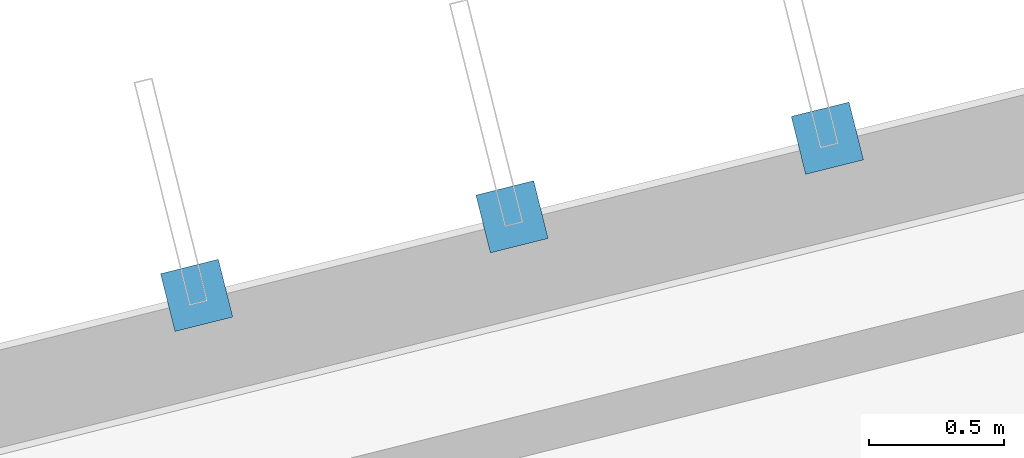
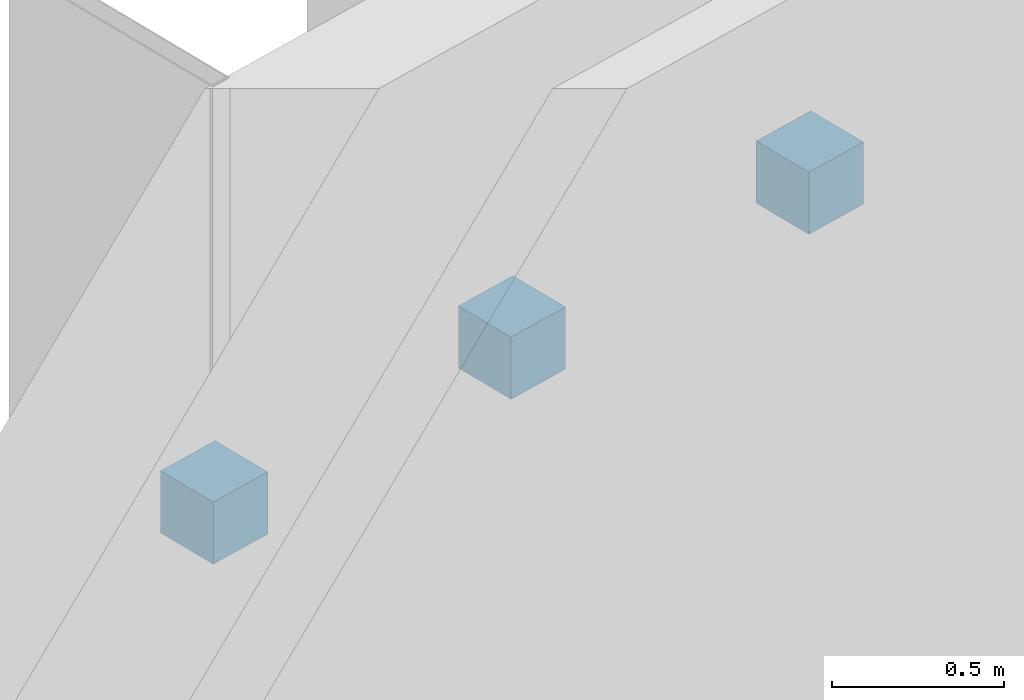
# One storey, part 16 of 21: 3 discrete accessories.
"""IFC4 building model written with IfcOpenShell, lengths in metres."""

from ifc_helpers import new_model, si_unit, direction, frame, origin, origin_2d, place, context, subcontext, project, spatial, rectangle, extrude, material, layer, layer_set, type_object, element, save


model = new_model("IFC4")

# Units and contexts
model_context = context("Model", 3, precision=1e-05, world=origin(), true_north=direction((0.0, 1.0)))
body_context = subcontext(model_context, "Body", "Model", "MODEL_VIEW")
ifc_project = project(units=[si_unit("LENGTHUNIT", "METRE"), si_unit("AREAUNIT", "SQUARE_METRE"), si_unit("VOLUMEUNIT", "CUBIC_METRE"), si_unit("PLANEANGLEUNIT", "RADIAN"), si_unit("MASSUNIT", "GRAM", prefix="KILO")], contexts=[model_context])

# Site, building, storey
site_placement = place(None, origin())
site = spatial("IfcSite", under=ifc_project, at=site_placement, CompositionType="ELEMENT")
building_placement = place(site_placement, origin())
building = spatial("IfcBuilding", under=site, at=building_placement, Name="Mawjan Specialist Oncology Clinic", CompositionType="ELEMENT")
storey_placement = place(building_placement, frame((0.0, 0.0, 13.5)))
storey = spatial("IfcBuildingStorey", under=building, at=storey_placement, Name="L03", CompositionType="ELEMENT", Elevation=13.5)

# Discrete accessories
ifc_material = material(Name="Structural steel S355", Category="steel")
ifc_layer = layer(ifc_material, 0.219970703125, Name="Structural steel S355", Category="steel")
ifc_layer_set = layer_set([ifc_layer], Name="Structural steel S355")
discrete_accessory_type = type_object("IfcDiscreteAccessoryType", Name="BRK-S355", PredefinedType="BRACKET", material=ifc_layer_set)
for number, where, z_axis, x_axis, name in (
    (1, (143.433837890625, 30.08251953125, 1.392578125), (0.0, 0.0, 1.0), (0.970295726276, 0.2419218956, 0.0), "Solar Fin Mounting Bracket 67"),
    (2, (144.59814453125, 30.372802734375, 1.392578125), (0.0, 0.0, 1.0), (0.970295726276, 0.2419218956, 0.0), "Solar Fin Mounting Bracket 68"),
    (3, (145.762451171875, 30.6630859375, 1.392578125), (0.0, 0.0, 1.0), (0.970295726276, 0.2419218956, 0.0), "Solar Fin Mounting Bracket 69"),
):
    element("IfcDiscreteAccessory", number, at=place(storey_placement, frame(where, z_axis=z_axis, x_axis=x_axis)), inside=storey, type_object=discrete_accessory_type, Name=name, PredefinedType="BRACKET", context=body_context, shape_type="SweptSolid", body=[
        extrude(rectangle(XDim=0.219970703125, YDim=0.219970703125, at=origin_2d()), origin(), (0.0, 0.0, 1.0), 0.219970703125),
    ])

save(model, "model.ifc")
